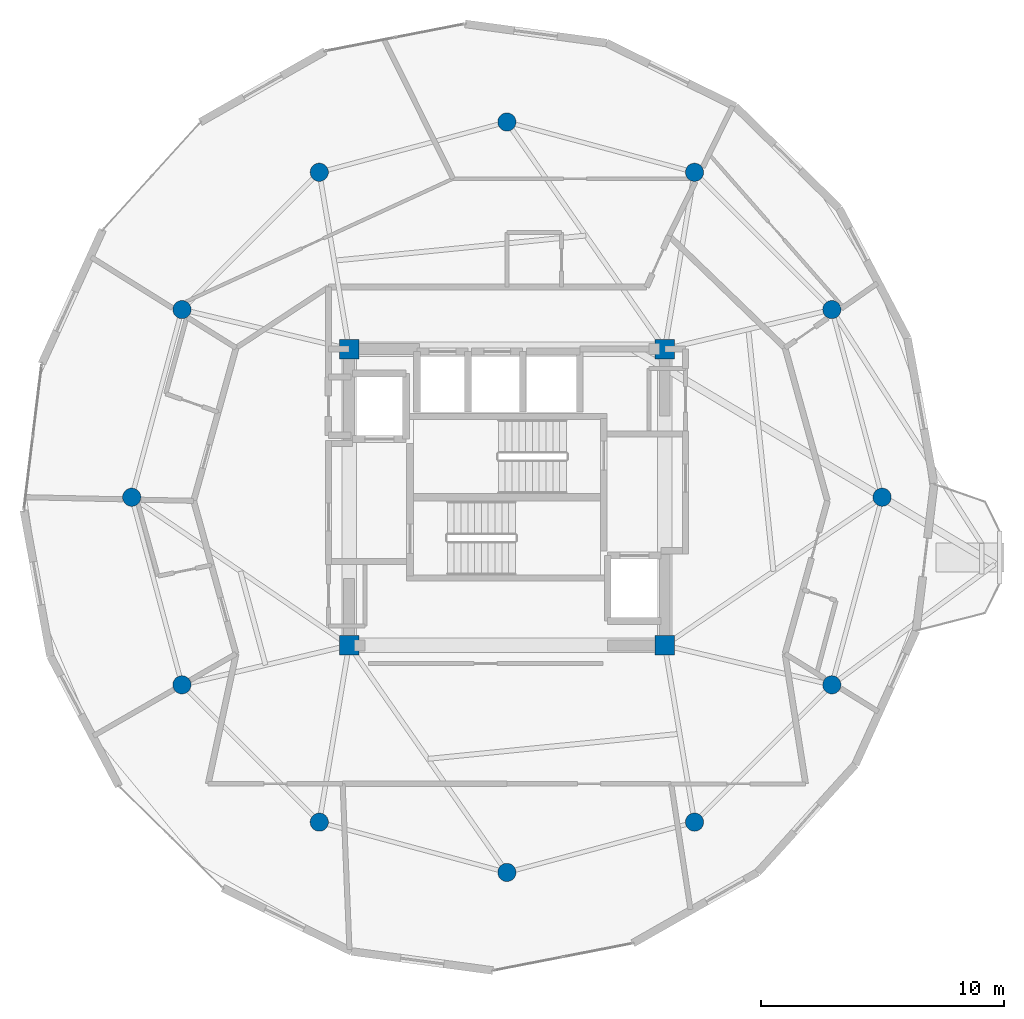
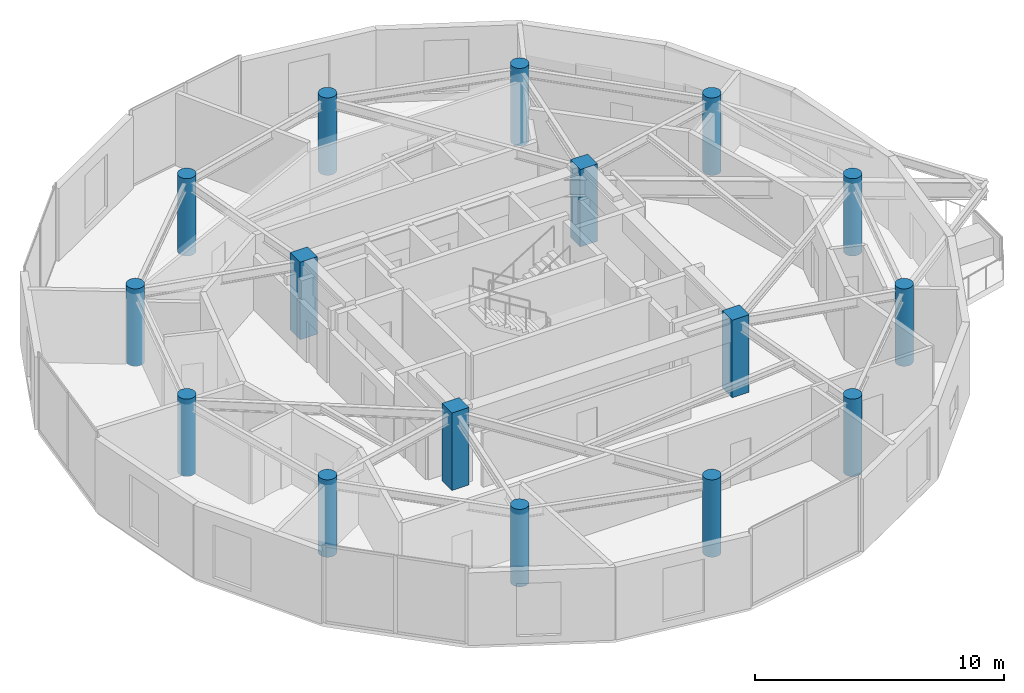
# One storey, part 1 of 18: 16 columns.
"""IFC4 building model written with IfcOpenShell, lengths in metres."""

from ifc_helpers import new_model, si_unit, direction, frame, origin, origin_2d, place, context, subcontext, project, spatial, rectangle, circle, extrude, material, material_profile, profile_set, type_object, element, save


model = new_model("IFC4")

# Units and contexts
model_context = context("Model", 3, precision=1e-05, world=origin(), true_north=direction((0.0, 1.0)))
body_context = subcontext(model_context, "Body", "Model", "MODEL_VIEW")
ifc_project = project(units=[si_unit("LENGTHUNIT", "METRE"), si_unit("AREAUNIT", "SQUARE_METRE"), si_unit("VOLUMEUNIT", "CUBIC_METRE"), si_unit("PLANEANGLEUNIT", "RADIAN"), si_unit("MASSUNIT", "GRAM", prefix="KILO")], contexts=[model_context])

# Site, building, storey
site_placement = place(None, origin())
site = spatial("IfcSite", under=ifc_project, at=site_placement, CompositionType="ELEMENT")
building_placement = place(site_placement, origin())
building = spatial("IfcBuilding", under=site, at=building_placement, Name="Solvirekh Grand Hotel", CompositionType="ELEMENT")
storey_placement = place(building_placement, frame((0.0, 0.0, 274.39990234375)))
storey = spatial("IfcBuildingStorey", under=building, at=storey_placement, Name="L71", CompositionType="ELEMENT", Elevation=274.39990234375)

# Columns
ifc_material = material(Name="Concrete C50/60", Category="concrete")
ifc_material_profile_1 = material_profile(ifc_material, rectangle(XDim=0.800048828125, YDim=0.800048828125, at=origin_2d()), Name="RC 800X800")
ifc_profile_set_1 = profile_set([ifc_material_profile_1], Name="Concrete C50/60")
column_type_1 = type_object("IfcColumnType", Name="Col_Core_800", PredefinedType="COLUMN", material=ifc_profile_set_1)
for number, where, z_axis, x_axis, name in (
    (1, (-6.5, -6.10009765625, 0.0), (0.0, 0.0, 1.0), (1.0, 0.0, 0.0), "L71 core corner column CC1"),
    (2, (6.5, -6.10009765625, 0.0), (0.0, 0.0, 1.0), (1.0, 0.0, 0.0), "L71 core corner column CC2"),
    (3, (6.5, 6.10009765625, 0.0), (0.0, 0.0, 1.0), (1.0, 0.0, 0.0), "L71 core corner column CC3"),
    (4, (-6.5, 6.10009765625, 0.0), (0.0, 0.0, 1.0), (1.0, 0.0, 0.0), "L71 core corner column CC4"),
):
    element("IfcColumn", number, at=place(storey_placement, frame(where, z_axis=z_axis, x_axis=x_axis)), inside=storey, type_object=column_type_1, Name=name, PredefinedType="COLUMN", context=body_context, shape_type="SweptSolid", body=[
        extrude(rectangle(XDim=0.800048828125, YDim=0.800048828125, at=origin_2d()), origin(), (0.0, 0.0, 1.0), 3.800048828125),
    ])
ifc_material_profile_2 = material_profile(ifc_material, circle(Radius=0.375, at=origin_2d()), Name="RC CIRC D750")
ifc_profile_set_2 = profile_set([ifc_material_profile_2], Name="Concrete C50/60")
column_type_2 = type_object("IfcColumnType", Name="Col_Z4_D750", PredefinedType="COLUMN", material=ifc_profile_set_2)
for number, where, z_axis, x_axis, name in (
    (5, (15.449951171875, 0.0, 0.0), (0.0, 0.0, 1.0), (1.0, 0.0, 0.0), "L71 perimeter column P01"),
    (6, (13.3798828125, 7.72509765625, 0.0), (0.0, 0.0, 1.0), (1.0, 0.0, 0.0), "L71 perimeter column P02"),
    (7, (7.72509765625, 13.3798828125, 0.0), (0.0, 0.0, 1.0), (1.0, 0.0, 0.0), "L71 perimeter column P03"),
    (8, (0.0, 15.449951171875, 0.0), (0.0, 0.0, 1.0), (1.0, 0.0, 0.0), "L71 perimeter column P04"),
    (9, (-7.72509765625, 13.3798828125, 0.0), (0.0, 0.0, 1.0), (1.0, 0.0, 0.0), "L71 perimeter column P05"),
    (10, (-13.3798828125, 7.72509765625, 0.0), (0.0, 0.0, 1.0), (1.0, 0.0, 0.0), "L71 perimeter column P06"),
    (11, (-15.449951171875, 0.0, 0.0), (0.0, 0.0, 1.0), (1.0, 0.0, 0.0), "L71 perimeter column P07"),
    (12, (-13.3798828125, -7.72509765625, 0.0), (0.0, 0.0, 1.0), (1.0, 0.0, 0.0), "L71 perimeter column P08"),
    (13, (-7.72509765625, -13.3798828125, 0.0), (0.0, 0.0, 1.0), (1.0, 0.0, 0.0), "L71 perimeter column P09"),
    (14, (0.0, -15.449951171875, 0.0), (0.0, 0.0, 1.0), (1.0, 0.0, 0.0), "L71 perimeter column P10"),
    (15, (7.72509765625, -13.3798828125, 0.0), (0.0, 0.0, 1.0), (1.0, 0.0, 0.0), "L71 perimeter column P11"),
    (16, (13.3798828125, -7.72509765625, 0.0), (0.0, 0.0, 1.0), (1.0, 0.0, 0.0), "L71 perimeter column P12"),
):
    element("IfcColumn", number, at=place(storey_placement, frame(where, z_axis=z_axis, x_axis=x_axis)), inside=storey, type_object=column_type_2, Name=name, PredefinedType="COLUMN", context=body_context, shape_type="SweptSolid", body=[
        extrude(circle(Radius=0.375, at=origin_2d()), origin(), (0.0, 0.0, 1.0), 3.800048828125),
    ])

save(model, "model.ifc")
